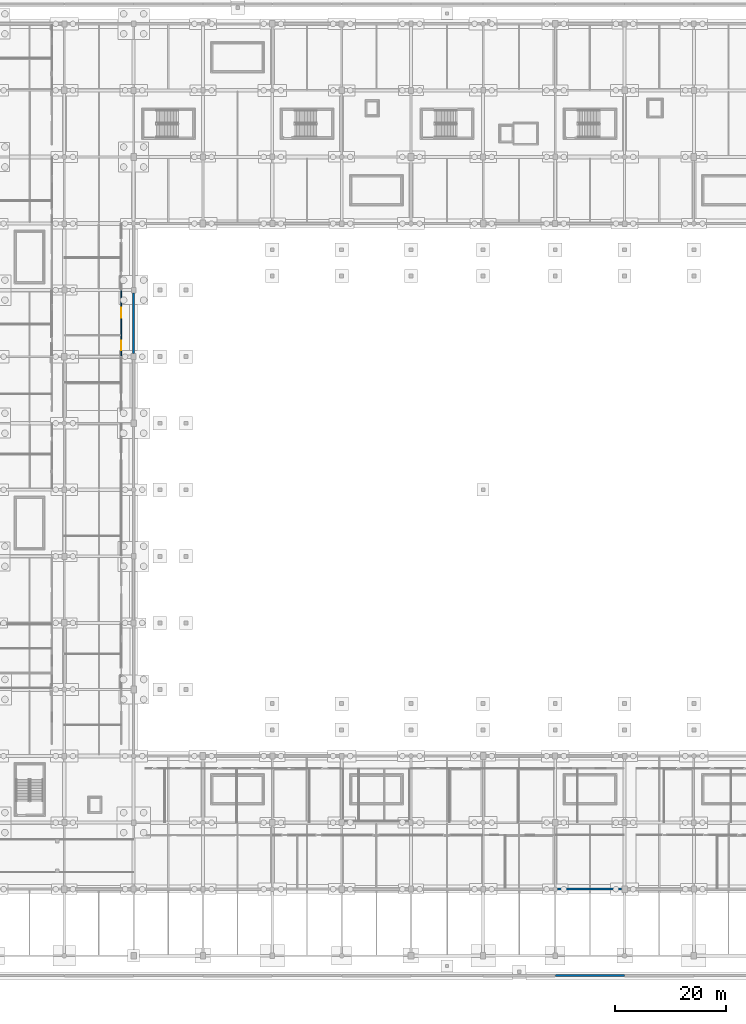
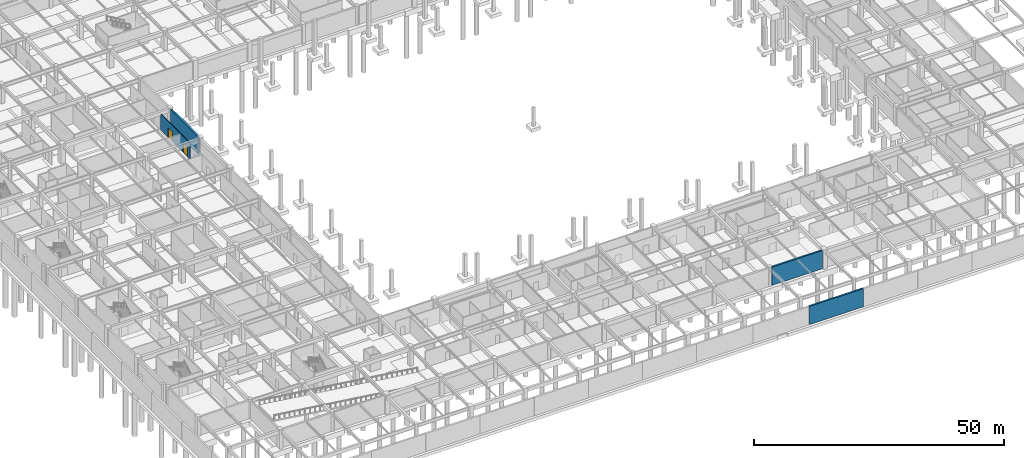
# One storey, part 29 of 56: 4 walls, 2 doors, 2 openings.
"""IFC4 building model written with IfcOpenShell, lengths in metres."""

from ifc_helpers import new_model, si_unit, direction, frame, frame_2d, origin, place, context, subcontext, project, spatial, rectangle, extrude, material, layer, layer_set, type_object, element, fill, save


model = new_model("IFC4")

# Units and contexts
model_context = context("Model", 3, precision=1e-05, world=origin(), true_north=direction((0.0, 1.0)))
body_context = subcontext(model_context, "Body", "Model", "MODEL_VIEW")
ifc_project = project(units=[si_unit("LENGTHUNIT", "METRE"), si_unit("AREAUNIT", "SQUARE_METRE"), si_unit("VOLUMEUNIT", "CUBIC_METRE"), si_unit("PLANEANGLEUNIT", "RADIAN"), si_unit("MASSUNIT", "GRAM", prefix="KILO")], contexts=[model_context])

# Site, building, storey
site_placement = place(None, origin())
site = spatial("IfcSite", under=ifc_project, at=site_placement, CompositionType="ELEMENT")
building_placement = place(site_placement, origin())
building = spatial("IfcBuilding", under=site, at=building_placement, Name="Kazenohara Klinker Stadium", CompositionType="ELEMENT")
storey_placement = place(building_placement, frame((0.0, 0.0, -4.800048828125)))
storey = spatial("IfcBuildingStorey", under=building, at=storey_placement, Name="B01", CompositionType="ELEMENT", Elevation=-4.800048828125)

# Walls
ifc_material_1 = material(Name="Concrete C40/50", Category="concrete")
ifc_layer_1 = layer(ifc_material_1, 0.39990234375)
ifc_layer_set_1 = layer_set([ifc_layer_1], Name="Concrete C40/50")
wall_type_1 = type_object("IfcWallType", Name="WAL-B01-PLINTH400", PredefinedType="USERDEFINED", material=ifc_layer_set_1)
wall_1_placement = place(storey_placement, frame((125.02001953125, -3.580078125, 0.0), z_axis=(0.0, 0.0, 1.0), x_axis=(1.0, 0.0, 0.0)))
element("IfcWall", 1, at=wall_1_placement, inside=storey, type_object=wall_type_1, Name="Street plinth retaining wall RW04 South-11", ObjectType="RETAINING WALL", PredefinedType="USERDEFINED", context=body_context, shape_type="SweptSolid", body=[
    extrude(rectangle(XDim=12.4599609375, YDim=0.39990234375, at=frame_2d((6.22998046875, 0.0))), origin(), (0.0, 0.0, 1.0), 4.4599609375),
])
ifc_layer_2 = layer(ifc_material_1, 0.3798828125)
ifc_layer_set_2 = layer_set([ifc_layer_2], Name="Concrete C40/50")
wall_type_2 = type_object("IfcWallType", Name="WAL-B01-RET380", PredefinedType="STANDARD", material=ifc_layer_set_2)
wall_2_placement = place(storey_placement, frame((49.0, 108.553955078125, 0.0), z_axis=(0.0, 0.0, 1.0), x_axis=(0.0, 1.0, 0.0)))
element("IfcWall", 2, at=wall_2_placement, inside=storey, type_object=wall_type_2, Name="Basement perimeter retaining wall RW02 Y-04-09", PredefinedType="STANDARD", context=body_context, shape_type="SweptSolid", body=[
    extrude(rectangle(XDim=10.942138671875, YDim=0.3798828125, at=frame_2d((5.47119140625, 0.0))), origin(), (0.0, 0.0, 1.0), 4.4599609375),
])
wall_3_placement = place(storey_placement, frame((125.428955078125, 12.0, 0.0), z_axis=(0.0, 0.0, 1.0), x_axis=(1.0, 0.0, 0.0)))
element("IfcWall", 3, at=wall_3_placement, inside=storey, type_object=wall_type_2, Name="Basement perimeter retaining wall RW02 X-10-01", PredefinedType="STANDARD", context=body_context, shape_type="SweptSolid", body=[
    extrude(rectangle(XDim=11.567138671875, YDim=0.3798828125, at=frame_2d((5.78369140625, 0.0))), origin(), (0.0, 0.0, 1.0), 4.4599609375),
])

# Wall, openings, doors
ifc_material_2 = material(Name="Fire-rated gypsum board on acoustic studs", Category="gypsum")
ifc_layer_3 = layer(ifc_material_2, 0.169921875)
ifc_layer_set_3 = layer_set([ifc_layer_3], Name="Fire-rated gypsum board on acoustic studs")
wall_type_3 = type_object("IfcWallType", Name="WAL-INT-P170", PredefinedType="PARTITIONING", material=ifc_layer_set_3)
wall_4_placement = place(storey_placement, frame((46.760009765625, 108.159912109375, 0.0), z_axis=(0.0, 0.0, 1.0), x_axis=(0.0, 1.0, 0.0)))
wall_4 = element("IfcWall", 4, at=wall_4_placement, inside=storey, type_object=wall_type_3, Name="Interior partition wall PT05 SPC-B01-03-09-1-1", PredefinedType="PARTITIONING", context=body_context, shape_type="SweptSolid", body=[
    extrude(rectangle(XDim=11.68017578125, YDim=0.169921875, at=frame_2d((5.840087890625, 0.0))), origin(), (0.0, 0.0, 1.0), 3.920166015625),
])
opening_1_placement = place(wall_4_placement, frame((0.967041015625, 0.0, 0.0)))
opening_1 = element("IfcOpeningElement", 5, at=opening_1_placement, cuts=wall_4, Name="Opening ID25", PredefinedType="OPENING", context=body_context, shape_type="SweptSolid", body=[
    extrude(rectangle(XDim=1.699951171875, YDim=2.320068359375, at=frame_2d((0.85009765625, 1.16015625))), frame((0.0, 0.094970703125, 0.0), z_axis=(0.0, -1.0, 0.0), x_axis=(1.0, 0.0, 0.0)), (0.0, 0.0, 1.0), 0.18994140625),
])
opening_2_placement = place(wall_4_placement, frame((6.857177734375, 0.0, 0.0)))
opening_2 = element("IfcOpeningElement", 6, at=opening_2_placement, cuts=wall_4, Name="Opening ID26", PredefinedType="OPENING", context=body_context, shape_type="SweptSolid", body=[
    extrude(rectangle(XDim=1.760009765625, YDim=2.300048828125, at=frame_2d((0.8798828125, 1.14990234375))), frame((0.0, 0.094970703125, 0.0), z_axis=(0.0, -1.0, 0.0), x_axis=(1.0, 0.0, 0.0)), (0.0, 0.0, 1.0), 0.18994140625),
])
ifc_material_3 = material(Name="Painted steel plant fire door", Category="steel")
door_type_1 = type_object("IfcDoorType", Name="DR-INT-25", OperationType="NOTDEFINED", PredefinedType="DOOR", material=ifc_material_3)
door_1_placement = place(opening_1_placement, origin())
door_1 = element("IfcDoor", 7, at=door_1_placement, inside=storey, type_object=door_type_1, Name="Interior door ID25 District Heating Substation Plant B01-0309A", OperationType="SINGLE_SWING_RIGHT", OverallHeight=2.320068359375, OverallWidth=1.699951171875, PredefinedType="DOOR", context=body_context, shape_type="SweptSolid", body=[
    extrude(rectangle(XDim=1.699951171875, YDim=2.320068359375, at=frame_2d((0.85009765625, 1.16015625))), frame((0.0, 0.02490234375, 0.0), z_axis=(0.0, -1.0, 0.0), x_axis=(1.0, 0.0, 0.0)), (0.0, 0.0, 1.0), 0.050048828125),
])
fill(opening_1, door_1)
door_type_2 = type_object("IfcDoorType", Name="DR-INT-26", OperationType="NOTDEFINED", PredefinedType="DOOR", material=ifc_material_3)
door_2_placement = place(opening_2_placement, origin())
door_2 = element("IfcDoor", 8, at=door_2_placement, inside=storey, type_object=door_type_2, Name="Interior door ID26 First-Team Athlete Changing Room B01-0309B", OperationType="SINGLE_SWING_LEFT", OverallHeight=2.300048828125, OverallWidth=1.760009765625, PredefinedType="DOOR", context=body_context, shape_type="SweptSolid", body=[
    extrude(rectangle(XDim=1.760009765625, YDim=2.300048828125, at=frame_2d((0.8798828125, 1.14990234375))), frame((0.0, 0.02490234375, 0.0), z_axis=(0.0, -1.0, 0.0), x_axis=(1.0, 0.0, 0.0)), (0.0, 0.0, 1.0), 0.050048828125),
])
fill(opening_2, door_2)

save(model, "model.ifc")
